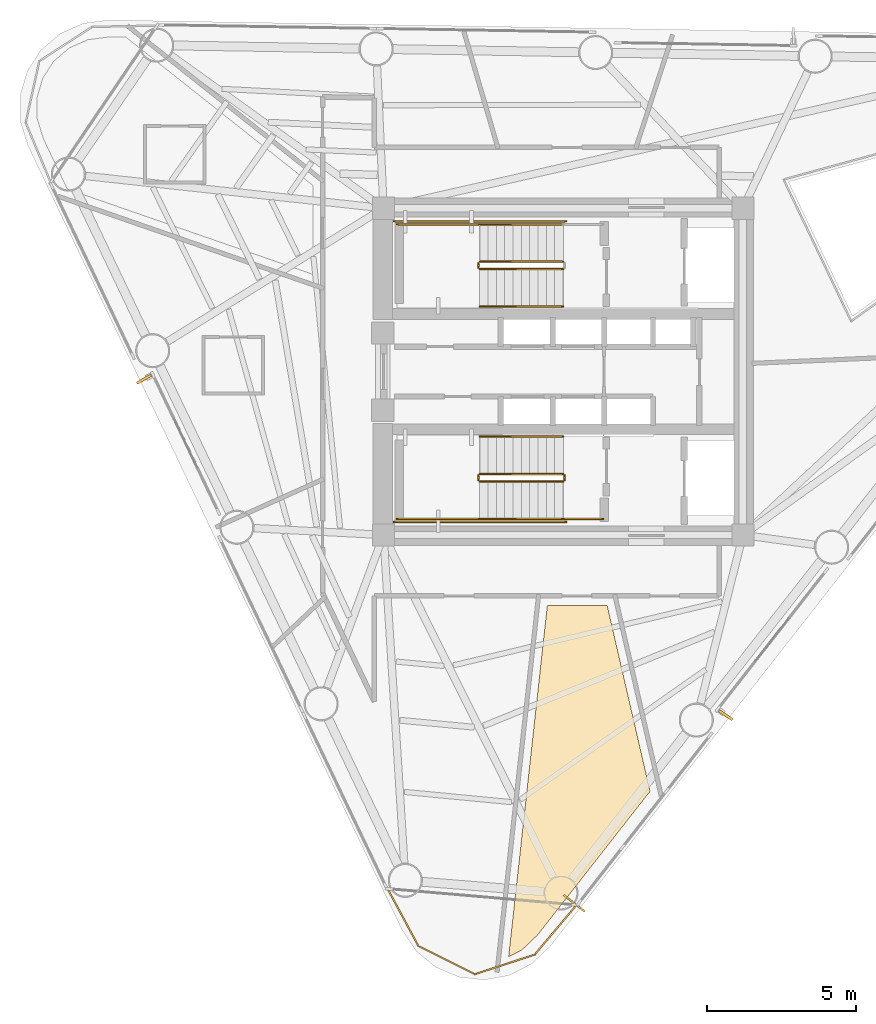
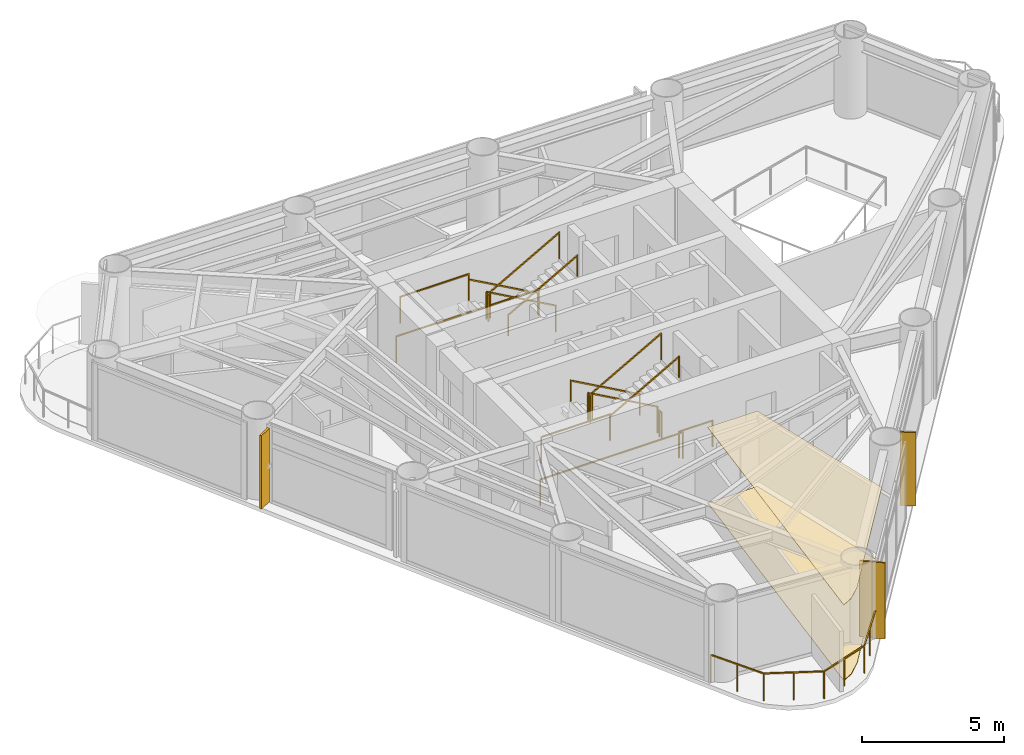
# One storey, part 7 of 9: 17 railings, 3 coverings, 2 shading devices.
"""IFC4 building model written with IfcOpenShell, lengths in metres."""

from ifc_helpers import new_model, si_unit, direction, frame, origin, origin_2d, place, context, subcontext, project, spatial, polyline, rectangle, outline, extrude, source, transform, mapped, material, layer, layer_set, material_profile, profile_set, type_object, element, save


model = new_model("IFC4")

# Units and contexts
model_context = context("Model", 3, precision=1e-05, world=origin(), true_north=direction((0.0, 1.0)))
body_context = subcontext(model_context, "Body", "Model", "MODEL_VIEW")
ifc_project = project(units=[si_unit("LENGTHUNIT", "METRE"), si_unit("AREAUNIT", "SQUARE_METRE"), si_unit("VOLUMEUNIT", "CUBIC_METRE"), si_unit("PLANEANGLEUNIT", "RADIAN"), si_unit("MASSUNIT", "GRAM", prefix="KILO")], contexts=[model_context])

# Site, building, storey
site_placement = place(None, origin())
site = spatial("IfcSite", under=ifc_project, at=site_placement, CompositionType="ELEMENT")
building_placement = place(site_placement, origin())
building = spatial("IfcBuilding", under=site, at=building_placement, Name="Yunling Apex Tower", CompositionType="ELEMENT")
storey_placement = place(building_placement, frame((0.0, 0.0, 201.800048828125)))
storey = spatial("IfcBuildingStorey", under=building, at=storey_placement, Name="L49", CompositionType="ELEMENT", Elevation=201.800048828125)

# Coverings
ifc_material_1 = material(Name="Acoustic mineral fibre ceiling")
ifc_layer_1 = layer(ifc_material_1, 0.02490234375)
ifc_layer_set_1 = layer_set([ifc_layer_1], Name="Acoustic mineral fibre ceiling")
covering_type_1 = type_object("IfcCoveringType", Name="CV-CLG-1", PredefinedType="CEILING", material=ifc_layer_set_1)
covering_1_placement = place(storey_placement, frame((0.0, 0.0, 3.244873046875)))
element("IfcCovering", 1, at=covering_1_placement, inside=storey, type_object=covering_type_1, Name="CV-CL-SP-L49-HAM2", PredefinedType="CEILING", context=body_context, shape_type="SweptSolid", body=[
    extrude(outline(polyline([(-1.837890625, -19.698974609375), (-0.535888671875, -7.8798828125), (1.480712890625, -7.8798828125), (2.923095703125, -14.12890625), (-0.86328125, -18.968017578125), (-1.390625, -19.47119140625), (-1.837890625, -19.698974609375)])), origin(), (0.0, 0.0, 1.0), 0.025146484375),
])
ifc_material_2 = material(Name="Polished granite stone", Category="masonry")
ifc_layer_2 = layer(ifc_material_2, 0.030029296875)
ifc_layer_set_2 = layer_set([ifc_layer_2], Name="Polished granite stone")
covering_type_2 = type_object("IfcCoveringType", Name="CV-FLR-1", PredefinedType="FLOORING", material=ifc_layer_set_2)
covering_2_placement = place(storey_placement, origin())
element("IfcCovering", 2, at=covering_2_placement, inside=storey, type_object=covering_type_2, Name="CV-FL-SP-L49-HAM2", PredefinedType="FLOORING", context=body_context, shape_type="SweptSolid", body=[
    extrude(outline(polyline([(-1.837890625, -19.698974609375), (-0.535888671875, -7.8798828125), (1.480712890625, -7.8798828125), (2.923095703125, -14.12890625), (-0.86328125, -18.968017578125), (-1.390625, -19.47119140625), (-1.837890625, -19.698974609375)])), origin(), (0.0, 0.0, 1.0), 0.030029296875),
])

# Railings
ifc_material_3 = material(Name="Bronze anodised aluminium", Category="aluminium")
railing_type_1 = type_object("IfcRailingType", Name="RL-BAL-1200", PredefinedType="BALUSTRADE", material=ifc_material_3)
railing_1_placement = place(storey_placement, frame((0.4462890625, -17.9599609375, 0.0)))
element("IfcRailing", 3, at=railing_1_placement, inside=storey, type_object=railing_type_1, Name="RL-CRNSILL-L49-3", PredefinedType="BALUSTRADE", context=body_context, shape_type="SweptSolid", body=[
    extrude(rectangle(XDim=0.0439453125, YDim=0.0439453125, at=origin_2d()), origin(), (0.0, 0.0, 1.0), 1.199951171875),
    extrude(rectangle(XDim=0.0439453125, YDim=0.0439453125, at=origin_2d()), frame((-1.408447265625, -1.669189453125, 0.0)), (0.0, 0.0, 1.0), 1.199951171875),
    extrude(rectangle(XDim=0.050048828125, YDim=0.050048828125, at=origin_2d()), frame((-0.024658203125, -0.029296875, 1.1748046875), z_axis=(-0.644889304204, -0.764275987666, 0.0), x_axis=(0.764275987666, -0.644889304204, 0.0)), (0.0, 0.0, 1.0), 2.107421875),
    extrude(rectangle(XDim=0.0439453125, YDim=0.0439453125, at=origin_2d()), frame((-0.7041015625, -0.83447265625, 0.0)), (0.0, 0.0, 1.0), 1.14599609375),
    extrude(rectangle(XDim=0.0439453125, YDim=0.0439453125, at=origin_2d()), frame((-3.421875, -2.326416015625, 0.0)), (0.0, 0.0, 1.0), 1.199951171875),
    extrude(rectangle(XDim=0.050048828125, YDim=0.050048828125, at=origin_2d()), frame((-1.44482421875, -1.68115234375, 1.1748046875), z_axis=(-0.950635994022, -0.310308244926, 0.0), x_axis=(0.310308244926, -0.950635994022, 0.0)), (0.0, 0.0, 1.0), 2.041259765625),
    extrude(rectangle(XDim=0.0439453125, YDim=0.0439453125, at=origin_2d()), frame((-2.4150390625, -1.997802734375, 0.0)), (0.0, 0.0, 1.0), 1.14599609375),
    extrude(rectangle(XDim=0.0439453125, YDim=0.0439453125, at=origin_2d()), frame((-5.32275390625, -1.376708984375, 0.0)), (0.0, 0.0, 1.0), 1.199951171875),
    extrude(rectangle(XDim=0.050048828125, YDim=0.050048828125, at=origin_2d()), frame((-3.4560546875, -2.309326171875, 1.1748046875), z_axis=(-0.894565021347, 0.446937828543, 0.0), x_axis=(-0.446937828543, -0.894565021347, 0.0)), (0.0, 0.0, 1.0), 2.04833984375),
    extrude(rectangle(XDim=0.0439453125, YDim=0.0439453125, at=origin_2d()), frame((-4.372314453125, -1.8515625, 0.0)), (0.0, 0.0, 1.0), 1.14599609375),
    extrude(rectangle(XDim=0.0439453125, YDim=0.0439453125, at=origin_2d()), frame((-6.35791015625, 0.545654296875, 0.0)), (0.0, 0.0, 1.0), 1.199951171875),
    extrude(rectangle(XDim=0.050048828125, YDim=0.050048828125, at=origin_2d()), frame((-5.3408203125, -1.343017578125, 1.1748046875), z_axis=(-0.474113159208, 0.880463918775, 0.0), x_axis=(-0.880463918775, -0.474113159208, 0.0)), (0.0, 0.0, 1.0), 2.106689453125),
    extrude(rectangle(XDim=0.0439453125, YDim=0.0439453125, at=origin_2d()), frame((-5.84033203125, -0.41552734375, 0.0)), (0.0, 0.0, 1.0), 1.14599609375),
])
ifc_material_4 = material(Name="Steel Q355B", Category="steel")
railing_type_2 = type_object("IfcRailingType", Name="RL-GRD-1150", PredefinedType="GUARDRAIL", material=ifc_material_4)
railing_2_placement = place(storey_placement, frame((-0.010009765625, 3.699951171875, 0.15673828125)))
element("IfcRailing", 4, at=railing_2_placement, inside=storey, type_object=railing_type_2, Name="L49 ST-1 stair guard 1", PredefinedType="GUARDRAIL", context=body_context, shape_type="SweptSolid", body=[
    extrude(rectangle(XDim=0.0439453125, YDim=0.0439453125, at=origin_2d()), origin(), (0.0, 0.0, 1.0), 1.14990234375),
    extrude(rectangle(XDim=0.0439453125, YDim=0.0439453125, at=origin_2d()), frame((-2.800048828125, 0.0, 1.568115234375)), (0.0, 0.0, 1.0), 1.14990234375),
    extrude(rectangle(XDim=0.050048828125, YDim=0.050048828125, at=origin_2d()), frame((-0.033447265625, 0.0, 1.1435546875), z_axis=(-0.872494340497, 0.0, 0.48862421737), x_axis=(0.0, -1.0, 0.0)), (0.0, 0.0, 1.0), 3.132568359375),
])
railing_3_placement = place(storey_placement, frame((-2.860107421875, 3.64990234375, 1.724853515625)))
element("IfcRailing", 5, at=railing_3_placement, inside=storey, type_object=railing_type_2, Name="L49 ST-1 stair guard 2", PredefinedType="GUARDRAIL", context=body_context, shape_type="SweptSolid", body=[
    extrude(rectangle(XDim=0.0439453125, YDim=0.0439453125, at=origin_2d()), origin(), (0.0, 0.0, 1.0), 1.14990234375),
    extrude(rectangle(XDim=0.0439453125, YDim=0.0439453125, at=origin_2d()), frame((0.0, -0.14990234375, 0.0)), (0.0, 0.0, 1.0), 1.14990234375),
    extrude(rectangle(XDim=0.050048828125, YDim=0.050048828125, at=origin_2d()), frame((0.0, -0.038330078125, 1.125), z_axis=(0.0, -1.0, 0.0), x_axis=(1.0, 0.0, 0.0)), (0.0, 0.0, 1.0), 0.0732421875),
])
railing_4_placement = place(storey_placement, frame((-2.81005859375, 4.9599609375, 1.724853515625)))
element("IfcRailing", 6, at=railing_4_placement, inside=storey, type_object=railing_type_2, Name="L49 ST-1 stair guard 3", PredefinedType="GUARDRAIL", context=body_context, shape_type="SweptSolid", body=[
    extrude(rectangle(XDim=0.0439453125, YDim=0.0439453125, at=origin_2d()), origin(), (0.0, 0.0, 1.0), 1.14990234375),
    extrude(rectangle(XDim=0.0439453125, YDim=0.0439453125, at=origin_2d()), frame((-2.7900390625, 0.0, 0.0)), (0.0, 0.0, 1.0), 1.14990234375),
    extrude(rectangle(XDim=0.050048828125, YDim=0.050048828125, at=origin_2d()), frame((-0.038330078125, 0.0, 1.125), z_axis=(-1.0, 0.0, 0.0), x_axis=(0.0, -1.0, 0.0)), (0.0, 0.0, 1.0), 2.71337890625),
])
railing_5_placement = place(storey_placement, frame((-2.81005859375, 3.449951171875, 1.8818359375)))
element("IfcRailing", 7, at=railing_5_placement, inside=storey, type_object=railing_type_2, Name="L49 ST-1 stair guard 4", PredefinedType="GUARDRAIL", context=body_context, shape_type="SweptSolid", body=[
    extrude(rectangle(XDim=0.0439453125, YDim=0.0439453125, at=origin_2d()), origin(), (0.0, 0.0, 1.0), 1.14990234375),
    extrude(rectangle(XDim=0.0439453125, YDim=0.0439453125, at=origin_2d()), frame((2.800048828125, 0.0, 1.568115234375)), (0.0, 0.0, 1.0), 1.14990234375),
    extrude(rectangle(XDim=0.050048828125, YDim=0.050048828125, at=origin_2d()), frame((0.033447265625, 0.0, 1.1435546875), z_axis=(0.872494340497, 0.0, 0.48862421737), x_axis=(0.0, 1.0, 0.0)), (0.0, 0.0, 1.0), 3.132568359375),
])
railing_6_placement = place(storey_placement, frame((0.090087890625, 5.06005859375, 0.0)))
element("IfcRailing", 8, at=railing_6_placement, inside=storey, type_object=railing_type_2, Name="L49 ST-1 stair guard 7", PredefinedType="GUARDRAIL", context=body_context, shape_type="SweptSolid", body=[
    extrude(rectangle(XDim=0.0439453125, YDim=0.0439453125, at=origin_2d()), origin(), (0.0, 0.0, 1.0), 1.14990234375),
    extrude(rectangle(XDim=0.0439453125, YDim=0.0439453125, at=origin_2d()), frame((-5.7900390625, 0.0, 0.0)), (0.0, 0.0, 1.0), 1.14990234375),
    extrude(rectangle(XDim=0.050048828125, YDim=0.050048828125, at=origin_2d()), frame((-0.038330078125, 0.0, 1.125), z_axis=(-1.0, 0.0, 0.0), x_axis=(0.0, -1.0, 0.0)), (0.0, 0.0, 1.0), 5.71337890625),
])
railing_7_placement = place(storey_placement, frame((-0.010009765625, -3.449951171875, 0.15673828125)))
element("IfcRailing", 9, at=railing_7_placement, inside=storey, type_object=railing_type_2, Name="L49 ST-2 stair guard 1", PredefinedType="GUARDRAIL", context=body_context, shape_type="SweptSolid", body=[
    extrude(rectangle(XDim=0.0439453125, YDim=0.0439453125, at=origin_2d()), origin(), (0.0, 0.0, 1.0), 1.14990234375),
    extrude(rectangle(XDim=0.0439453125, YDim=0.0439453125, at=origin_2d()), frame((-2.800048828125, 0.0, 1.568115234375)), (0.0, 0.0, 1.0), 1.14990234375),
    extrude(rectangle(XDim=0.050048828125, YDim=0.050048828125, at=origin_2d()), frame((-0.033447265625, 0.0, 1.1435546875), z_axis=(-0.872494340497, 0.0, 0.48862421737), x_axis=(0.0, -1.0, 0.0)), (0.0, 0.0, 1.0), 3.132568359375),
])
railing_8_placement = place(storey_placement, frame((-2.860107421875, -3.5, 1.724853515625)))
element("IfcRailing", 10, at=railing_8_placement, inside=storey, type_object=railing_type_2, Name="L49 ST-2 stair guard 2", PredefinedType="GUARDRAIL", context=body_context, shape_type="SweptSolid", body=[
    extrude(rectangle(XDim=0.0439453125, YDim=0.0439453125, at=origin_2d()), origin(), (0.0, 0.0, 1.0), 1.14990234375),
    extrude(rectangle(XDim=0.0439453125, YDim=0.0439453125, at=origin_2d()), frame((0.0, -0.14990234375, 0.0)), (0.0, 0.0, 1.0), 1.14990234375),
    extrude(rectangle(XDim=0.050048828125, YDim=0.050048828125, at=origin_2d()), frame((0.0, -0.038330078125, 1.125), z_axis=(0.0, -1.0, 0.0), x_axis=(1.0, 0.0, 0.0)), (0.0, 0.0, 1.0), 0.0732421875),
])
railing_9_placement = place(storey_placement, frame((-2.81005859375, -4.9599609375, 1.724853515625)))
element("IfcRailing", 11, at=railing_9_placement, inside=storey, type_object=railing_type_2, Name="L49 ST-2 stair guard 3", PredefinedType="GUARDRAIL", context=body_context, shape_type="SweptSolid", body=[
    extrude(rectangle(XDim=0.0439453125, YDim=0.0439453125, at=origin_2d()), origin(), (0.0, 0.0, 1.0), 1.14990234375),
    extrude(rectangle(XDim=0.0439453125, YDim=0.0439453125, at=origin_2d()), frame((-2.7900390625, 0.0, 0.0)), (0.0, 0.0, 1.0), 1.14990234375),
    extrude(rectangle(XDim=0.050048828125, YDim=0.050048828125, at=origin_2d()), frame((-0.038330078125, 0.0, 1.125), z_axis=(-1.0, 0.0, 0.0), x_axis=(0.0, -1.0, 0.0)), (0.0, 0.0, 1.0), 2.71337890625),
])
railing_10_placement = place(storey_placement, frame((-2.81005859375, -3.699951171875, 1.8818359375)))
element("IfcRailing", 12, at=railing_10_placement, inside=storey, type_object=railing_type_2, Name="L49 ST-2 stair guard 4", PredefinedType="GUARDRAIL", context=body_context, shape_type="SweptSolid", body=[
    extrude(rectangle(XDim=0.0439453125, YDim=0.0439453125, at=origin_2d()), origin(), (0.0, 0.0, 1.0), 1.14990234375),
    extrude(rectangle(XDim=0.0439453125, YDim=0.0439453125, at=origin_2d()), frame((2.800048828125, 0.0, 1.568115234375)), (0.0, 0.0, 1.0), 1.14990234375),
    extrude(rectangle(XDim=0.050048828125, YDim=0.050048828125, at=origin_2d()), frame((0.033447265625, 0.0, 1.1435546875), z_axis=(0.872494340497, 0.0, 0.48862421737), x_axis=(0.0, 1.0, 0.0)), (0.0, 0.0, 1.0), 3.132568359375),
])
railing_11_placement = place(storey_placement, frame((0.0400390625, -3.5, 0.0)))
element("IfcRailing", 13, at=railing_11_placement, inside=storey, type_object=railing_type_2, Name="L49 ST-2 stair guard 5", PredefinedType="GUARDRAIL", context=body_context, shape_type="SweptSolid", body=[
    extrude(rectangle(XDim=0.0439453125, YDim=0.0439453125, at=origin_2d()), origin(), (0.0, 0.0, 1.0), 1.14990234375),
    extrude(rectangle(XDim=0.0439453125, YDim=0.0439453125, at=origin_2d()), frame((0.0, -0.14990234375, 0.0)), (0.0, 0.0, 1.0), 1.14990234375),
    extrude(rectangle(XDim=0.050048828125, YDim=0.050048828125, at=origin_2d()), frame((0.0, -0.038330078125, 1.125), z_axis=(0.0, -1.0, 0.0), x_axis=(1.0, 0.0, 0.0)), (0.0, 0.0, 1.0), 0.0732421875),
])
railing_12_placement = place(storey_placement, frame((1.35009765625, -4.9599609375, 0.0)))
element("IfcRailing", 14, at=railing_12_placement, inside=storey, type_object=railing_type_2, Name="L49 ST-2 stair guard 6", PredefinedType="GUARDRAIL", context=body_context, shape_type="SweptSolid", body=[
    extrude(rectangle(XDim=0.0439453125, YDim=0.0439453125, at=origin_2d()), origin(), (0.0, 0.0, 1.0), 1.14990234375),
    extrude(rectangle(XDim=0.0439453125, YDim=0.0439453125, at=origin_2d()), frame((-1.360107421875, 0.0, 0.0)), (0.0, 0.0, 1.0), 1.14990234375),
    extrude(rectangle(XDim=0.050048828125, YDim=0.050048828125, at=origin_2d()), frame((-0.038330078125, 0.0, 1.125), z_axis=(-1.0, 0.0, 0.0), x_axis=(0.0, -1.0, 0.0)), (0.0, 0.0, 1.0), 1.283447265625),
])
railing_13_placement = place(storey_placement, frame((0.090087890625, -5.06005859375, 0.0)))
element("IfcRailing", 15, at=railing_13_placement, inside=storey, type_object=railing_type_2, Name="L49 ST-2 stair guard 7", PredefinedType="GUARDRAIL", context=body_context, shape_type="SweptSolid", body=[
    extrude(rectangle(XDim=0.0439453125, YDim=0.0439453125, at=origin_2d()), origin(), (0.0, 0.0, 1.0), 1.14990234375),
    extrude(rectangle(XDim=0.0439453125, YDim=0.0439453125, at=origin_2d()), frame((-5.7900390625, 0.0, 0.0)), (0.0, 0.0, 1.0), 1.14990234375),
    extrude(rectangle(XDim=0.050048828125, YDim=0.050048828125, at=origin_2d()), frame((-0.038330078125, 0.0, 1.125), z_axis=(-1.0, 0.0, 0.0), x_axis=(0.0, -1.0, 0.0)), (0.0, 0.0, 1.0), 5.71337890625),
])
ifc_material_5 = material(Name="Silver anodised aluminium", Category="aluminium")
railing_type_3 = type_object("IfcRailingType", Name="RL-HND-900", PredefinedType="HANDRAIL", material=ifc_material_5)
railing_14_placement = place(storey_placement, frame((-0.010009765625, 4.9599609375, 0.15673828125)))
element("IfcRailing", 16, at=railing_14_placement, inside=storey, type_object=railing_type_3, Name="L49 ST-1 stair handrail 1", PredefinedType="HANDRAIL", context=body_context, shape_type="SweptSolid", body=[
    extrude(rectangle(XDim=0.0439453125, YDim=0.0439453125, at=origin_2d()), origin(), (0.0, 0.0, 1.0), 0.919921875),
    extrude(rectangle(XDim=0.0439453125, YDim=0.0439453125, at=origin_2d()), frame((-2.800048828125, 0.0, 1.568115234375)), (0.0, 0.0, 1.0), 0.919921875),
    extrude(rectangle(XDim=0.050048828125, YDim=0.050048828125, at=origin_2d()), frame((-0.033447265625, 0.0, 0.91357421875), z_axis=(-0.872494340497, 0.0, 0.48862421737), x_axis=(0.0, -1.0, 0.0)), (0.0, 0.0, 1.0), 3.132568359375),
])
railing_15_placement = place(storey_placement, frame((-2.81005859375, 2.18994140625, 1.8818359375)))
element("IfcRailing", 17, at=railing_15_placement, inside=storey, type_object=railing_type_3, Name="L49 ST-1 stair handrail 2", PredefinedType="HANDRAIL", context=body_context, shape_type="SweptSolid", body=[
    extrude(rectangle(XDim=0.0439453125, YDim=0.0439453125, at=origin_2d()), origin(), (0.0, 0.0, 1.0), 0.919921875),
    extrude(rectangle(XDim=0.0439453125, YDim=0.0439453125, at=origin_2d()), frame((2.800048828125, 0.0, 1.568115234375)), (0.0, 0.0, 1.0), 0.919921875),
    extrude(rectangle(XDim=0.050048828125, YDim=0.050048828125, at=origin_2d()), frame((0.033447265625, 0.0, 0.91357421875), z_axis=(0.872494340497, 0.0, 0.48862421737), x_axis=(0.0, 1.0, 0.0)), (0.0, 0.0, 1.0), 3.132568359375),
])
railing_16_placement = place(storey_placement, frame((-0.010009765625, -2.18994140625, 0.15673828125)))
element("IfcRailing", 18, at=railing_16_placement, inside=storey, type_object=railing_type_3, Name="L49 ST-2 stair handrail 1", PredefinedType="HANDRAIL", context=body_context, shape_type="SweptSolid", body=[
    extrude(rectangle(XDim=0.0439453125, YDim=0.0439453125, at=origin_2d()), origin(), (0.0, 0.0, 1.0), 0.919921875),
    extrude(rectangle(XDim=0.0439453125, YDim=0.0439453125, at=origin_2d()), frame((-2.800048828125, 0.0, 1.568115234375)), (0.0, 0.0, 1.0), 0.919921875),
    extrude(rectangle(XDim=0.050048828125, YDim=0.050048828125, at=origin_2d()), frame((-0.033447265625, 0.0, 0.91357421875), z_axis=(-0.872494340497, 0.0, 0.48862421737), x_axis=(0.0, -1.0, 0.0)), (0.0, 0.0, 1.0), 3.132568359375),
])
railing_17_placement = place(storey_placement, frame((-2.81005859375, -4.9599609375, 1.8818359375)))
element("IfcRailing", 19, at=railing_17_placement, inside=storey, type_object=railing_type_3, Name="L49 ST-2 stair handrail 2", PredefinedType="HANDRAIL", context=body_context, shape_type="SweptSolid", body=[
    extrude(rectangle(XDim=0.0439453125, YDim=0.0439453125, at=origin_2d()), origin(), (0.0, 0.0, 1.0), 0.919921875),
    extrude(rectangle(XDim=0.0439453125, YDim=0.0439453125, at=origin_2d()), frame((2.800048828125, 0.0, 1.568115234375)), (0.0, 0.0, 1.0), 0.919921875),
    extrude(rectangle(XDim=0.050048828125, YDim=0.050048828125, at=origin_2d()), frame((0.033447265625, 0.0, 0.91357421875), z_axis=(0.872494340497, 0.0, 0.48862421737), x_axis=(0.0, 1.0, 0.0)), (0.0, 0.0, 1.0), 3.132568359375),
])

# Covering
ifc_layer_3 = layer(ifc_material_3, 0.0400390625)
ifc_layer_set_3 = layer_set([ifc_layer_3], Name="Bronze anodised aluminium")
covering_type_3 = type_object("IfcCoveringType", Name="CV-CLD-1", PredefinedType="CLADDING", material=ifc_layer_set_3)
shared_shape_1 = source(origin(), body_context, "Body", "SweptSolid", [
    extrude(rectangle(XDim=0.06005859375, YDim=0.89990234375, at=origin_2d()), origin(), (0.0, 0.0, 1.0), 3.27001953125),
])
covering_3_placement = place(storey_placement, frame((0.367431640625, -17.898193359375, 0.0), z_axis=(0.0, 0.0, 1.0), x_axis=(0.616211460536, 0.787580748815, 0.0)))
element("IfcCovering", 20, at=covering_3_placement, inside=storey, type_object=covering_type_3, Name="CV-CLD-L49", PredefinedType="CLADDING", context=body_context, shape_type="MappedRepresentation", body=[
    mapped(shared_shape_1, transform((0.0, 0.0, 0.0), scale=1.0)),
])

# Shading devices
ifc_material_profile = material_profile(ifc_material_3, rectangle(XDim=0.0849609375, YDim=0.550048828125, at=origin_2d()))
ifc_profile_set = profile_set([ifc_material_profile], Name="Bronze anodised aluminium")
shading_device_type = type_object("IfcShadingDeviceType", Name="FN-BRZ-3", PredefinedType="USERDEFINED", material=ifc_profile_set)
shared_shape_2 = source(origin(), body_context, "Body", "SweptSolid", [
    extrude(rectangle(XDim=0.0849609375, YDim=0.550048828125, at=origin_2d()), origin(), (0.0, 0.0, 1.0), 3.14990234375),
])
for number, where, z_axis, x_axis, name in (
    (21, (5.468505859375, -11.565185546875, 0.06005859375), (0.0, 0.0, 1.0), (0.563381859003, 0.826196635763, 0.0), "CW-L49-F1-B2-FIN-01"),
    (22, (-14.113037109375, -0.254150390625, 0.06005859375), (0.0, 0.0, 1.0), (0.488621241497, -0.872496007073, 0.0), "CW-L49-F3-B2-FIN-01"),
):
    element("IfcShadingDevice", number, at=place(storey_placement, frame(where, z_axis=z_axis, x_axis=x_axis)), inside=storey, type_object=shading_device_type, Name=name, ObjectType="FIN", PredefinedType="USERDEFINED", context=body_context, shape_type="MappedRepresentation", body=[
        mapped(shared_shape_2, transform((0.0, 0.0, 0.0), scale=1.0)),
    ])

save(model, "model.ifc")
